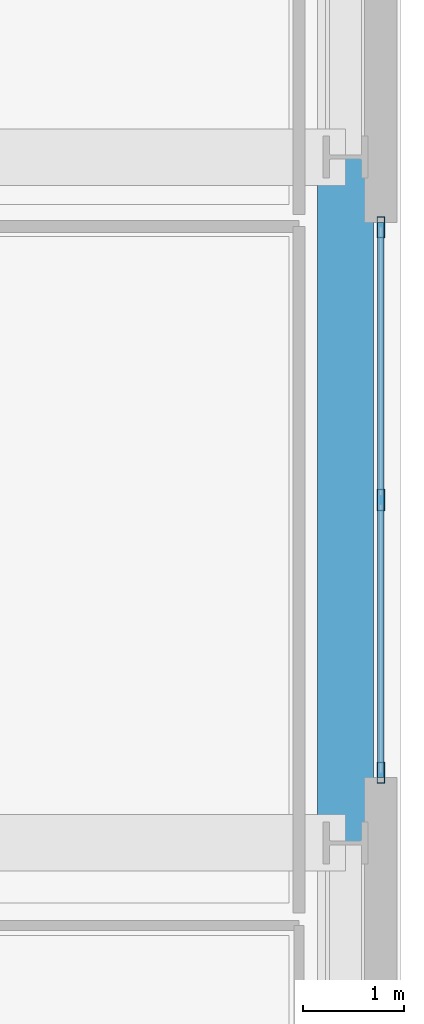
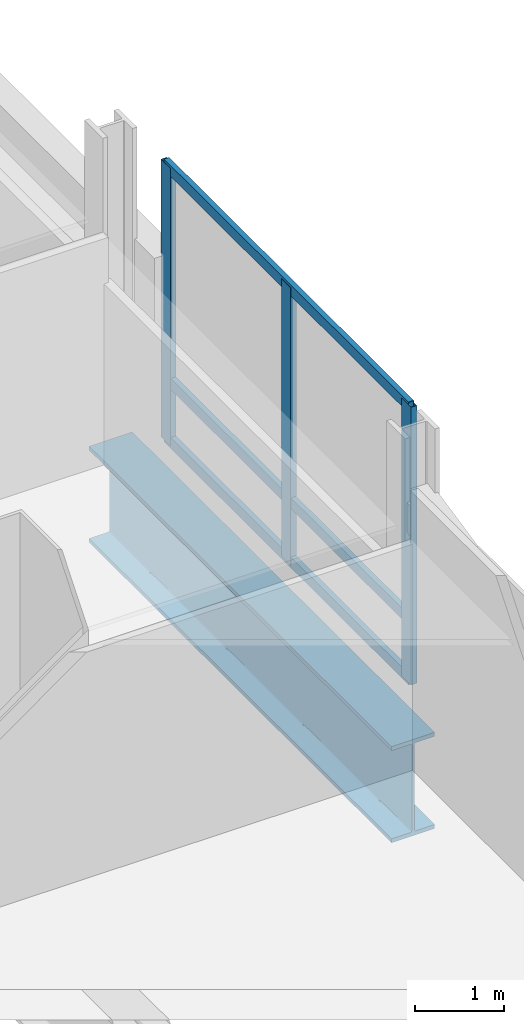
# One storey, part 4 of 27: 6 members, 1 beam, 1 element without a shape of its own.
"""IFC4 building model written with IfcOpenShell, lengths in metres."""

from ifc_helpers import new_model, si_unit, direction, frame, origin, origin_2d, place, context, subcontext, project, spatial, hollow_rectangle, i_section, extrude, material, material_profile, profile_set, type_object, element, aggregate, save


model = new_model("IFC4")

# Units and contexts
model_context = context("Model", 3, precision=1e-05, world=origin(), true_north=direction((0.0, 1.0)))
body_context = subcontext(model_context, "Body", "Model", "MODEL_VIEW")
ifc_project = project(units=[si_unit("LENGTHUNIT", "METRE"), si_unit("AREAUNIT", "SQUARE_METRE"), si_unit("VOLUMEUNIT", "CUBIC_METRE"), si_unit("PLANEANGLEUNIT", "RADIAN"), si_unit("MASSUNIT", "GRAM", prefix="KILO")], contexts=[model_context])

# Site, building, storey
site_placement = place(None, origin())
site = spatial("IfcSite", under=ifc_project, at=site_placement, CompositionType="ELEMENT")
building_placement = place(site_placement, origin())
building = spatial("IfcBuilding", under=site, at=building_placement, Name="Punatoya Terracotta Tower", CompositionType="ELEMENT")
storey_placement = place(building_placement, frame((0.0, 0.0, 60.60009765625)))
storey = spatial("IfcBuildingStorey", under=building, at=storey_placement, Name="L13", CompositionType="ELEMENT", Elevation=60.60009765625)

# Beam
ifc_material_1 = material(Name="Steel S460", Category="steel")
ifc_material_profile_1 = material_profile(ifc_material_1, i_section(OverallWidth=0.56005859375, OverallDepth=1.320068359375, WebThickness=0.035888671875, FlangeThickness=0.054931640625, FilletRadius=0.01806640625, at=origin_2d()))
ifc_profile_set_1 = profile_set([ifc_material_profile_1], Name="Steel S460")
beam_type = type_object("IfcBeamType", Name="BM-TG-BLK", PredefinedType="BEAM", material=ifc_profile_set_1)
beam_placement = place(storey_placement, frame((24.5, -3.39990234375, -0.940185546875), z_axis=(0.0, 1.0, 0.0), x_axis=(-1.0, 0.0, 0.0)))
element("IfcBeam", 1, at=beam_placement, inside=storey, type_object=beam_type, Name="BM-L13-PER-E2", PredefinedType="BEAM", context=body_context, shape_type="SweptSolid", body=[
    extrude(i_section(OverallWidth=0.56005859375, OverallDepth=1.320068359375, WebThickness=0.035888671875, FlangeThickness=0.054931640625, FilletRadius=0.01806640625, at=origin_2d()), origin(), (0.0, 0.0, 1.0), 6.7998046875),
])

# Curtain wall, members
ifc_material_2 = material(Name="Aluminium 6063-T6 + Double Low-E Glass", Category="aluminium")
curtain_wall_type = type_object("IfcCurtainWallType", Name="CW-M1", PredefinedType="NOTDEFINED", material=ifc_material_2)
curtain_wall_placement = place(storey_placement, origin())
curtain_wall = element("IfcCurtainWall", 2, at=curtain_wall_placement, inside=storey, type_object=curtain_wall_type, Name="L13 Curtain Wall CW-L13-E05-1", PredefinedType="NOTDEFINED")
ifc_material_3 = material(Name="Aluminium 6063-T6", Category="aluminium")
ifc_material_profile_2 = material_profile(ifc_material_3, hollow_rectangle(XDim=0.074951171875, YDim=0.2099609375, WallThickness=0.00439453125, at=origin_2d()))
ifc_profile_set_2 = profile_set([ifc_material_profile_2], Name="Aluminium 6063-T6")
member_type_1 = type_object("IfcMemberType", Name="CW-MUL-M1", PredefinedType="MULLION", material=ifc_profile_set_2)
member_1_placement = place(storey_placement, frame((24.85009765625, -2.705078125, 0.0), z_axis=(0.0, 0.0, 1.0), x_axis=(1.0, 0.0, 0.0)))
member_1 = element("IfcMember", 3, at=member_1_placement, type_object=member_type_1, Name="CW-L13-E05-1 Mullion 00", PredefinedType="MULLION", context=body_context, shape_type="SweptSolid", body=[
    extrude(hollow_rectangle(XDim=0.074951171875, YDim=0.2099609375, WallThickness=0.00439453125, at=origin_2d()), origin(), (0.0, 0.0, 1.0), 3.809814453125),
])
member_2_placement = place(storey_placement, frame((24.85009765625, 0.0, 0.0), z_axis=(0.0, 0.0, 1.0), x_axis=(1.0, 0.0, 0.0)))
member_2 = element("IfcMember", 4, at=member_2_placement, type_object=member_type_1, Name="CW-L13-E05-1 Mullion 01", PredefinedType="MULLION", context=body_context, shape_type="SweptSolid", body=[
    extrude(hollow_rectangle(XDim=0.074951171875, YDim=0.2099609375, WallThickness=0.00439453125, at=origin_2d()), origin(), (0.0, 0.0, 1.0), 3.809814453125),
])
member_3_placement = place(storey_placement, frame((24.85009765625, 2.705078125, 0.0), z_axis=(0.0, 0.0, 1.0), x_axis=(1.0, 0.0, 0.0)))
member_3 = element("IfcMember", 5, at=member_3_placement, type_object=member_type_1, Name="CW-L13-E05-1 Mullion 02", PredefinedType="MULLION", context=body_context, shape_type="SweptSolid", body=[
    extrude(hollow_rectangle(XDim=0.074951171875, YDim=0.2099609375, WallThickness=0.00439453125, at=origin_2d()), origin(), (0.0, 0.0, 1.0), 3.809814453125),
])
ifc_material_profile_3 = material_profile(ifc_material_3, hollow_rectangle(XDim=0.068115234375, YDim=0.14990234375, WallThickness=0.00390625, at=origin_2d()))
ifc_profile_set_3 = profile_set([ifc_material_profile_3], Name="Aluminium 6063-T6")
member_type_2 = type_object("IfcMemberType", Name="CW-TRN-TYP", PredefinedType="USERDEFINED", material=ifc_profile_set_3)
member_4_placement = place(storey_placement, frame((24.85009765625, -2.75, 0.039794921875), z_axis=(0.0, 1.0, 0.0), x_axis=(-1.0, 0.0, 0.0)))
member_4 = element("IfcMember", 6, at=member_4_placement, type_object=member_type_2, Name="CW-L13-E05-1 Transom 1", ObjectType="TRANSOM", PredefinedType="USERDEFINED", context=body_context, shape_type="SweptSolid", body=[
    extrude(hollow_rectangle(XDim=0.068115234375, YDim=0.14990234375, WallThickness=0.00390625, at=origin_2d()), origin(), (0.0, 0.0, 1.0), 5.5),
])
member_5_placement = place(storey_placement, frame((24.85009765625, -2.75, 0.849853515625), z_axis=(0.0, 1.0, 0.0), x_axis=(-1.0, 0.0, 0.0)))
member_5 = element("IfcMember", 7, at=member_5_placement, type_object=member_type_2, Name="CW-L13-E05-1 Transom 2", ObjectType="TRANSOM", PredefinedType="USERDEFINED", context=body_context, shape_type="SweptSolid", body=[
    extrude(hollow_rectangle(XDim=0.068115234375, YDim=0.14990234375, WallThickness=0.00390625, at=origin_2d()), origin(), (0.0, 0.0, 1.0), 5.5),
])
member_6_placement = place(storey_placement, frame((24.85009765625, -2.75, 3.77001953125), z_axis=(0.0, 1.0, 0.0), x_axis=(-1.0, 0.0, 0.0)))
member_6 = element("IfcMember", 8, at=member_6_placement, type_object=member_type_2, Name="CW-L13-E05-1 Transom 3", ObjectType="TRANSOM", PredefinedType="USERDEFINED", context=body_context, shape_type="SweptSolid", body=[
    extrude(hollow_rectangle(XDim=0.068115234375, YDim=0.14990234375, WallThickness=0.00390625, at=origin_2d()), origin(), (0.0, 0.0, 1.0), 5.5),
])
aggregate(curtain_wall, [member_1, member_2, member_3, member_4, member_5, member_6])

save(model, "model.ifc")
